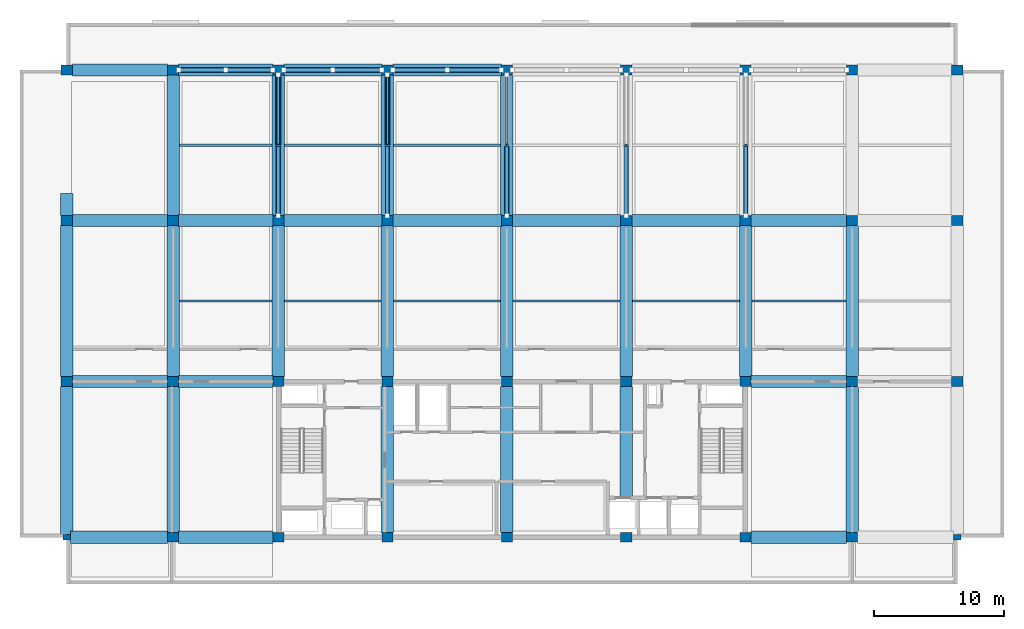
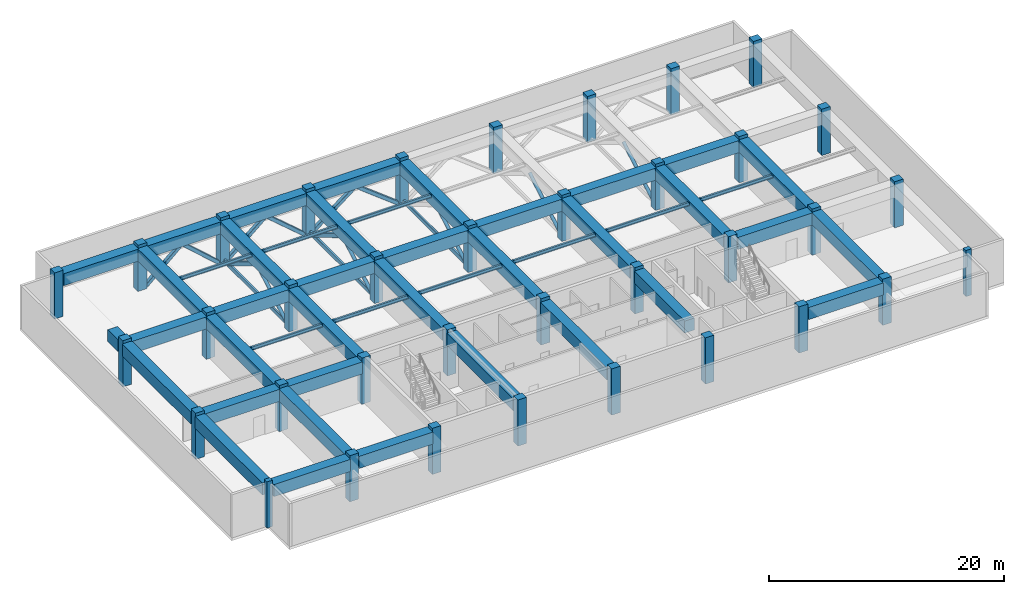
# One storey, part 1 of 11: 45 beams, 36 columns, 16 members.
"""IFC4 building model written with IfcOpenShell, lengths in metres."""

from ifc_helpers import new_model, si_unit, direction, frame, origin, origin_2d, place, context, subcontext, project, spatial, rectangle, hollow_rectangle, hollow_circle, i_section, extrude, material, material_profile, profile_set, type_object, element, save


model = new_model("IFC4")

# Units and contexts
model_context = context("Model", 3, precision=1e-05, world=origin(), true_north=direction((0.0, 1.0)))
body_context = subcontext(model_context, "Body", "Model", "MODEL_VIEW")
ifc_project = project(units=[si_unit("LENGTHUNIT", "METRE"), si_unit("AREAUNIT", "SQUARE_METRE"), si_unit("VOLUMEUNIT", "CUBIC_METRE"), si_unit("PLANEANGLEUNIT", "RADIAN"), si_unit("MASSUNIT", "GRAM", prefix="KILO")], contexts=[model_context])

# Site, building, storey
site_placement = place(None, origin())
site = spatial("IfcSite", under=ifc_project, at=site_placement, CompositionType="ELEMENT")
building_placement = place(site_placement, origin())
building = spatial("IfcBuilding", under=site, at=building_placement, Name="Korimba Cascade Residences", CompositionType="ELEMENT")
storey_placement = place(building_placement, frame((0.0, 0.0, 223.85009765625)))
storey = spatial("IfcBuildingStorey", under=building, at=storey_placement, Name="L65", CompositionType="ELEMENT", Elevation=223.85009765625)

# Columns
ifc_material_1 = material(Name="Concrete C65/80", Category="concrete")
ifc_material_profile_1 = material_profile(ifc_material_1, rectangle(XDim=0.550048828125, YDim=0.449951171875, at=origin_2d()), Name="Concrete C65/80")
ifc_profile_set_1 = profile_set([ifc_material_profile_1], Name="Concrete C65/80")
column_type_1 = type_object("IfcColumnType", Name="COL-PIL-550", PredefinedType="PILASTER", material=ifc_profile_set_1)
for number, where, z_axis, x_axis, name in (
    (1, (59.800048828125, 55.199951171875, 0.0), (0.0, 0.0, 1.0), (1.0, 0.0, 0.0), "L65 Tower 1 Column 1.1"),
    (2, (128.39990234375, 55.199951171875, 0.0), (0.0, 0.0, 1.0), (1.0, 0.0, 0.0), "L65 Tower 1 Column 9.1"),
):
    element("IfcColumn", number, at=place(storey_placement, frame(where, z_axis=z_axis, x_axis=x_axis)), inside=storey, type_object=column_type_1, Name=name, PredefinedType="PILASTER", context=body_context, shape_type="SweptSolid", body=[
        extrude(rectangle(XDim=0.550048828125, YDim=0.449951171875, at=origin_2d()), origin(), (0.0, 0.0, 1.0), 4.7998046875),
    ])
ifc_material_profile_2 = material_profile(ifc_material_1, rectangle(XDim=0.85009765625, YDim=0.75, at=origin_2d()), Name="Concrete C65/80")
ifc_profile_set_2 = profile_set([ifc_material_profile_2], Name="Concrete C65/80")
column_type_2 = type_object("IfcColumnType", Name="COL-RC-850", PredefinedType="COLUMN", material=ifc_profile_set_2)
for number, where, z_axis, x_axis, name in (
    (3, (59.800048828125, 67.199951171875, 0.0), (0.0, 0.0, 1.0), (1.0, 0.0, 0.0), "L65 Tower 1 Column 1.2"),
    (4, (59.800048828125, 79.60009765625, 0.0), (0.0, 0.0, 1.0), (1.0, 0.0, 0.0), "L65 Tower 1 Column 1.3"),
    (5, (59.800048828125, 91.199951171875, 0.0), (0.0, 0.0, 1.0), (1.0, 0.0, 0.0), "L65 Tower 1 Column 1.4"),
    (6, (68.0, 55.199951171875, 0.0), (0.0, 0.0, 1.0), (1.0, 0.0, 0.0), "L65 Tower 1 Column 2.1"),
    (7, (68.0, 67.199951171875, 0.0), (0.0, 0.0, 1.0), (1.0, 0.0, 0.0), "L65 Tower 1 Column 2.2"),
    (8, (68.0, 79.60009765625, 0.0), (0.0, 0.0, 1.0), (1.0, 0.0, 0.0), "L65 Tower 1 Column 2.3"),
    (9, (68.0, 91.199951171875, 0.0), (0.0, 0.0, 1.0), (1.0, 0.0, 0.0), "L65 Tower 1 Column 2.4"),
    (10, (76.10009765625, 55.199951171875, 0.0), (0.0, 0.0, 1.0), (1.0, 0.0, 0.0), "L65 Tower 1 Column 3.1"),
    (11, (76.10009765625, 67.199951171875, 0.0), (0.0, 0.0, 1.0), (1.0, 0.0, 0.0), "L65 Tower 1 Column 3.2"),
    (12, (76.10009765625, 79.60009765625, 0.0), (0.0, 0.0, 1.0), (1.0, 0.0, 0.0), "L65 Tower 1 Column 3.3"),
    (13, (76.10009765625, 91.199951171875, 0.0), (0.0, 0.0, 1.0), (1.0, 0.0, 0.0), "L65 Tower 1 Column 3.4"),
    (14, (84.5, 55.199951171875, 0.0), (0.0, 0.0, 1.0), (1.0, 0.0, 0.0), "L65 Tower 1 Column 4.1"),
    (15, (84.5, 67.199951171875, 0.0), (0.0, 0.0, 1.0), (1.0, 0.0, 0.0), "L65 Tower 1 Column 4.2"),
    (16, (84.5, 79.60009765625, 0.0), (0.0, 0.0, 1.0), (1.0, 0.0, 0.0), "L65 Tower 1 Column 4.3"),
    (17, (84.5, 91.199951171875, 0.0), (0.0, 0.0, 1.0), (1.0, 0.0, 0.0), "L65 Tower 1 Column 4.4"),
    (18, (93.699951171875, 55.199951171875, 0.0), (0.0, 0.0, 1.0), (1.0, 0.0, 0.0), "L65 Tower 1 Column 5.1"),
    (19, (93.699951171875, 67.199951171875, 0.0), (0.0, 0.0, 1.0), (1.0, 0.0, 0.0), "L65 Tower 1 Column 5.2"),
    (20, (93.699951171875, 79.60009765625, 0.0), (0.0, 0.0, 1.0), (1.0, 0.0, 0.0), "L65 Tower 1 Column 5.3"),
    (21, (93.699951171875, 91.199951171875, 0.0), (0.0, 0.0, 1.0), (1.0, 0.0, 0.0), "L65 Tower 1 Column 5.4"),
    (22, (102.89990234375, 55.199951171875, 0.0), (0.0, 0.0, 1.0), (1.0, 0.0, 0.0), "L65 Tower 1 Column 6.1"),
    (23, (102.89990234375, 67.199951171875, 0.0), (0.0, 0.0, 1.0), (1.0, 0.0, 0.0), "L65 Tower 1 Column 6.2"),
    (24, (102.89990234375, 79.60009765625, 0.0), (0.0, 0.0, 1.0), (1.0, 0.0, 0.0), "L65 Tower 1 Column 6.3"),
    (25, (102.89990234375, 91.199951171875, 0.0), (0.0, 0.0, 1.0), (1.0, 0.0, 0.0), "L65 Tower 1 Column 6.4"),
    (26, (112.10009765625, 55.199951171875, 0.0), (0.0, 0.0, 1.0), (1.0, 0.0, 0.0), "L65 Tower 1 Column 7.1"),
    (27, (112.10009765625, 67.199951171875, 0.0), (0.0, 0.0, 1.0), (1.0, 0.0, 0.0), "L65 Tower 1 Column 7.2"),
    (28, (112.10009765625, 79.60009765625, 0.0), (0.0, 0.0, 1.0), (1.0, 0.0, 0.0), "L65 Tower 1 Column 7.3"),
    (29, (112.10009765625, 91.199951171875, 0.0), (0.0, 0.0, 1.0), (1.0, 0.0, 0.0), "L65 Tower 1 Column 7.4"),
    (30, (120.300048828125, 55.199951171875, 0.0), (0.0, 0.0, 1.0), (1.0, 0.0, 0.0), "L65 Tower 1 Column 8.1"),
    (31, (120.300048828125, 67.199951171875, 0.0), (0.0, 0.0, 1.0), (1.0, 0.0, 0.0), "L65 Tower 1 Column 8.2"),
    (32, (120.300048828125, 79.60009765625, 0.0), (0.0, 0.0, 1.0), (1.0, 0.0, 0.0), "L65 Tower 1 Column 8.3"),
    (33, (120.300048828125, 91.199951171875, 0.0), (0.0, 0.0, 1.0), (1.0, 0.0, 0.0), "L65 Tower 1 Column 8.4"),
    (34, (128.39990234375, 67.199951171875, 0.0), (0.0, 0.0, 1.0), (1.0, 0.0, 0.0), "L65 Tower 1 Column 9.2"),
    (35, (128.39990234375, 79.60009765625, 0.0), (0.0, 0.0, 1.0), (1.0, 0.0, 0.0), "L65 Tower 1 Column 9.3"),
    (36, (128.39990234375, 91.199951171875, 0.0), (0.0, 0.0, 1.0), (1.0, 0.0, 0.0), "L65 Tower 1 Column 9.4"),
):
    element("IfcColumn", number, at=place(storey_placement, frame(where, z_axis=z_axis, x_axis=x_axis)), inside=storey, type_object=column_type_2, Name=name, PredefinedType="COLUMN", context=body_context, shape_type="SweptSolid", body=[
        extrude(rectangle(XDim=0.85009765625, YDim=0.75, at=origin_2d()), origin(), (0.0, 0.0, 1.0), 4.7998046875),
    ])

# Beams
ifc_material_2 = material(Name="Steel S355", Category="steel")
ifc_material_profile_3 = material_profile(ifc_material_2, i_section(OverallWidth=0.172119140625, OverallDepth=0.35791015625, WebThickness=0.008056640625, FlangeThickness=0.012939453125, FilletRadius=0.01025390625, at=origin_2d()), Name="Steel S355")
ifc_profile_set_3 = profile_set([ifc_material_profile_3], Name="Steel S355")
beam_type_1 = type_object("IfcBeamType", Name="BM-STL-UB356", PredefinedType="JOIST", material=ifc_profile_set_3)
beam_1_placement = place(storey_placement, frame((68.47509765625, 73.39990234375, 4.30078125), z_axis=(1.0, 0.0, 0.0), x_axis=(0.0, 1.0, 0.0)))
element("IfcBeam", 37, at=beam_1_placement, inside=storey, type_object=beam_type_1, Name="L65 T1 Floor Joist 1.2", PredefinedType="JOIST", context=body_context, shape_type="SweptSolid", body=[
    extrude(i_section(OverallWidth=0.172119140625, OverallDepth=0.35791015625, WebThickness=0.008056640625, FlangeThickness=0.012939453125, FilletRadius=0.01025390625, at=origin_2d()), origin(), (0.0, 0.0, 1.0), 7.14990234375),
])
beam_2_placement = place(storey_placement, frame((76.574951171875, 73.39990234375, 4.30078125), z_axis=(1.0, 0.0, 0.0), x_axis=(0.0, 1.0, 0.0)))
element("IfcBeam", 38, at=beam_2_placement, inside=storey, type_object=beam_type_1, Name="L65 T1 Floor Joist 1.3", PredefinedType="JOIST", context=body_context, shape_type="SweptSolid", body=[
    extrude(i_section(OverallWidth=0.172119140625, OverallDepth=0.35791015625, WebThickness=0.008056640625, FlangeThickness=0.012939453125, FilletRadius=0.01025390625, at=origin_2d()), origin(), (0.0, 0.0, 1.0), 7.449951171875),
])
for number, where, z_axis, x_axis, name in (
    (39, (84.97509765625, 73.39990234375, 4.30078125), (1.0, 0.0, 0.0), (0.0, 1.0, 0.0), "L65 T1 Floor Joist 1.4"),
    (40, (94.175048828125, 73.39990234375, 4.30078125), (1.0, 0.0, 0.0), (0.0, 1.0, 0.0), "L65 T1 Floor Joist 1.5"),
    (41, (103.375, 73.39990234375, 4.30078125), (1.0, 0.0, 0.0), (0.0, 1.0, 0.0), "L65 T1 Floor Joist 1.6"),
):
    element("IfcBeam", number, at=place(storey_placement, frame(where, z_axis=z_axis, x_axis=x_axis)), inside=storey, type_object=beam_type_1, Name=name, PredefinedType="JOIST", context=body_context, shape_type="SweptSolid", body=[
        extrude(i_section(OverallWidth=0.172119140625, OverallDepth=0.35791015625, WebThickness=0.008056640625, FlangeThickness=0.012939453125, FilletRadius=0.01025390625, at=origin_2d()), origin(), (0.0, 0.0, 1.0), 8.25),
    ])
beam_3_placement = place(storey_placement, frame((112.574951171875, 73.39990234375, 4.30078125), z_axis=(1.0, 0.0, 0.0), x_axis=(0.0, 1.0, 0.0)))
element("IfcBeam", 42, at=beam_3_placement, inside=storey, type_object=beam_type_1, Name="L65 T1 Floor Joist 1.7", PredefinedType="JOIST", context=body_context, shape_type="SweptSolid", body=[
    extrude(i_section(OverallWidth=0.172119140625, OverallDepth=0.35791015625, WebThickness=0.008056640625, FlangeThickness=0.012939453125, FilletRadius=0.01025390625, at=origin_2d()), origin(), (0.0, 0.0, 1.0), 7.25),
])
beam_4_placement = place(storey_placement, frame((68.47509765625, 85.39990234375, 4.30078125), z_axis=(1.0, 0.0, 0.0), x_axis=(0.0, 1.0, 0.0)))
element("IfcBeam", 43, at=beam_4_placement, inside=storey, type_object=beam_type_1, Name="L65 T1 Floor Joist 2.2", PredefinedType="JOIST", context=body_context, shape_type="SweptSolid", body=[
    extrude(i_section(OverallWidth=0.172119140625, OverallDepth=0.35791015625, WebThickness=0.008056640625, FlangeThickness=0.012939453125, FilletRadius=0.01025390625, at=origin_2d()), origin(), (0.0, 0.0, 1.0), 7.14990234375),
])
beam_5_placement = place(storey_placement, frame((76.574951171875, 85.39990234375, 4.30078125), z_axis=(1.0, 0.0, 0.0), x_axis=(0.0, 1.0, 0.0)))
element("IfcBeam", 44, at=beam_5_placement, inside=storey, type_object=beam_type_1, Name="L65 T1 Floor Joist 2.3", PredefinedType="JOIST", context=body_context, shape_type="SweptSolid", body=[
    extrude(i_section(OverallWidth=0.172119140625, OverallDepth=0.35791015625, WebThickness=0.008056640625, FlangeThickness=0.012939453125, FilletRadius=0.01025390625, at=origin_2d()), origin(), (0.0, 0.0, 1.0), 7.449951171875),
])
beam_6_placement = place(storey_placement, frame((84.97509765625, 85.39990234375, 4.30078125), z_axis=(1.0, 0.0, 0.0), x_axis=(0.0, 1.0, 0.0)))
element("IfcBeam", 45, at=beam_6_placement, inside=storey, type_object=beam_type_1, Name="L65 T1 Floor Joist 2.4", PredefinedType="JOIST", context=body_context, shape_type="SweptSolid", body=[
    extrude(i_section(OverallWidth=0.172119140625, OverallDepth=0.35791015625, WebThickness=0.008056640625, FlangeThickness=0.012939453125, FilletRadius=0.01025390625, at=origin_2d()), origin(), (0.0, 0.0, 1.0), 8.25),
])
ifc_material_profile_4 = material_profile(ifc_material_1, rectangle(XDim=0.949951171875, YDim=1.25, at=origin_2d()), Name="Concrete C65/80")
ifc_profile_set_4 = profile_set([ifc_material_profile_4], Name="Concrete C65/80")
beam_type_2 = type_object("IfcBeamType", Name="BM-TRF-1250", PredefinedType="T_BEAM", material=ifc_profile_set_4)
beam_7_placement = place(storey_placement, frame((60.074951171875, 55.199951171875, 3.85498046875), z_axis=(1.0, 0.0, 0.0), x_axis=(0.0, 1.0, 0.0)))
element("IfcBeam", 46, at=beam_7_placement, inside=storey, type_object=beam_type_2, Name="L65 T1 E-W Girder Y1 Bay 1", PredefinedType="T_BEAM", context=body_context, shape_type="SweptSolid", body=[
    extrude(rectangle(XDim=0.949951171875, YDim=1.25, at=origin_2d()), origin(), (0.0, 0.0, 1.0), 7.5),
])
beam_8_placement = place(storey_placement, frame((68.425048828125, 55.199951171875, 3.85498046875), z_axis=(1.0, 0.0, 0.0), x_axis=(0.0, 1.0, 0.0)))
element("IfcBeam", 47, at=beam_8_placement, inside=storey, type_object=beam_type_2, Name="L65 T1 E-W Girder Y1 Bay 2", PredefinedType="T_BEAM", context=body_context, shape_type="SweptSolid", body=[
    extrude(rectangle(XDim=0.949951171875, YDim=1.25, at=origin_2d()), origin(), (0.0, 0.0, 1.0), 7.25),
])
beam_9_placement = place(storey_placement, frame((112.52490234375, 55.199951171875, 3.85498046875), z_axis=(1.0, 0.0, 0.0), x_axis=(0.0, 1.0, 0.0)))
element("IfcBeam", 48, at=beam_9_placement, inside=storey, type_object=beam_type_2, Name="L65 T1 E-W Girder Y1 Bay 7", PredefinedType="T_BEAM", context=body_context, shape_type="SweptSolid", body=[
    extrude(rectangle(XDim=0.949951171875, YDim=1.25, at=origin_2d()), origin(), (0.0, 0.0, 1.0), 7.35009765625),
])
beam_10_placement = place(storey_placement, frame((60.22509765625, 67.199951171875, 3.85498046875), z_axis=(1.0, 0.0, 0.0), x_axis=(0.0, 1.0, 0.0)))
element("IfcBeam", 49, at=beam_10_placement, inside=storey, type_object=beam_type_2, Name="L65 T1 E-W Girder Y2 Bay 1", PredefinedType="T_BEAM", context=body_context, shape_type="SweptSolid", body=[
    extrude(rectangle(XDim=0.949951171875, YDim=1.25, at=origin_2d()), origin(), (0.0, 0.0, 1.0), 7.349853515625),
])
beam_11_placement = place(storey_placement, frame((68.425048828125, 67.199951171875, 3.85498046875), z_axis=(1.0, 0.0, 0.0), x_axis=(0.0, 1.0, 0.0)))
element("IfcBeam", 50, at=beam_11_placement, inside=storey, type_object=beam_type_2, Name="L65 T1 E-W Girder Y2 Bay 2", PredefinedType="T_BEAM", context=body_context, shape_type="SweptSolid", body=[
    extrude(rectangle(XDim=0.949951171875, YDim=1.25, at=origin_2d()), origin(), (0.0, 0.0, 1.0), 7.25),
])
beam_12_placement = place(storey_placement, frame((112.52490234375, 67.199951171875, 3.85498046875), z_axis=(1.0, 0.0, 0.0), x_axis=(0.0, 1.0, 0.0)))
element("IfcBeam", 51, at=beam_12_placement, inside=storey, type_object=beam_type_2, Name="L65 T1 E-W Girder Y2 Bay 7", PredefinedType="T_BEAM", context=body_context, shape_type="SweptSolid", body=[
    extrude(rectangle(XDim=0.949951171875, YDim=1.25, at=origin_2d()), origin(), (0.0, 0.0, 1.0), 7.35009765625),
])
beam_13_placement = place(storey_placement, frame((60.22509765625, 79.60009765625, 3.85498046875), z_axis=(1.0, 0.0, 0.0), x_axis=(0.0, 1.0, 0.0)))
element("IfcBeam", 52, at=beam_13_placement, inside=storey, type_object=beam_type_2, Name="L65 T1 E-W Girder Y3 Bay 1", PredefinedType="T_BEAM", context=body_context, shape_type="SweptSolid", body=[
    extrude(rectangle(XDim=0.949951171875, YDim=1.25, at=origin_2d()), origin(), (0.0, 0.0, 1.0), 7.349853515625),
])
beam_14_placement = place(storey_placement, frame((68.425048828125, 79.60009765625, 3.85498046875), z_axis=(1.0, 0.0, 0.0), x_axis=(0.0, 1.0, 0.0)))
element("IfcBeam", 53, at=beam_14_placement, inside=storey, type_object=beam_type_2, Name="L65 T1 E-W Girder Y3 Bay 2", PredefinedType="T_BEAM", context=body_context, shape_type="SweptSolid", body=[
    extrude(rectangle(XDim=0.949951171875, YDim=1.25, at=origin_2d()), origin(), (0.0, 0.0, 1.0), 7.25),
])
beam_15_placement = place(storey_placement, frame((76.52490234375, 79.60009765625, 3.85498046875), z_axis=(1.0, 0.0, 0.0), x_axis=(0.0, 1.0, 0.0)))
element("IfcBeam", 54, at=beam_15_placement, inside=storey, type_object=beam_type_2, Name="L65 T1 E-W Girder Y3 Bay 3", PredefinedType="T_BEAM", context=body_context, shape_type="SweptSolid", body=[
    extrude(rectangle(XDim=0.949951171875, YDim=1.25, at=origin_2d()), origin(), (0.0, 0.0, 1.0), 7.550048828125),
])
beam_16_placement = place(storey_placement, frame((84.925048828125, 79.60009765625, 3.85498046875), z_axis=(1.0, 0.0, 0.0), x_axis=(0.0, 1.0, 0.0)))
element("IfcBeam", 55, at=beam_16_placement, inside=storey, type_object=beam_type_2, Name="L65 T1 E-W Girder Y3 Bay 4", PredefinedType="T_BEAM", context=body_context, shape_type="SweptSolid", body=[
    extrude(rectangle(XDim=0.949951171875, YDim=1.25, at=origin_2d()), origin(), (0.0, 0.0, 1.0), 8.349853515625),
])
for number, where, z_axis, x_axis, name in (
    (56, (94.125, 79.60009765625, 3.85498046875), (1.0, 0.0, 0.0), (0.0, 1.0, 0.0), "L65 T1 E-W Girder Y3 Bay 5"),
    (57, (103.324951171875, 79.60009765625, 3.85498046875), (1.0, 0.0, 0.0), (0.0, 1.0, 0.0), "L65 T1 E-W Girder Y3 Bay 6"),
):
    element("IfcBeam", number, at=place(storey_placement, frame(where, z_axis=z_axis, x_axis=x_axis)), inside=storey, type_object=beam_type_2, Name=name, PredefinedType="T_BEAM", context=body_context, shape_type="SweptSolid", body=[
        extrude(rectangle(XDim=0.949951171875, YDim=1.25, at=origin_2d()), origin(), (0.0, 0.0, 1.0), 8.35009765625),
    ])
beam_17_placement = place(storey_placement, frame((112.52490234375, 79.60009765625, 3.85498046875), z_axis=(1.0, 0.0, 0.0), x_axis=(0.0, 1.0, 0.0)))
element("IfcBeam", 58, at=beam_17_placement, inside=storey, type_object=beam_type_2, Name="L65 T1 E-W Girder Y3 Bay 7", PredefinedType="T_BEAM", context=body_context, shape_type="SweptSolid", body=[
    extrude(rectangle(XDim=0.949951171875, YDim=1.25, at=origin_2d()), origin(), (0.0, 0.0, 1.0), 7.35009765625),
])
beam_18_placement = place(storey_placement, frame((60.22509765625, 91.199951171875, 3.85498046875), z_axis=(1.0, 0.0, 0.0), x_axis=(0.0, 1.0, 0.0)))
element("IfcBeam", 59, at=beam_18_placement, inside=storey, type_object=beam_type_2, Name="L65 T1 E-W Girder Y4 Bay 1", PredefinedType="T_BEAM", context=body_context, shape_type="SweptSolid", body=[
    extrude(rectangle(XDim=0.949951171875, YDim=1.25, at=origin_2d()), origin(), (0.0, 0.0, 1.0), 7.349853515625),
])
beam_19_placement = place(storey_placement, frame((68.425048828125, 91.199951171875, 3.85498046875), z_axis=(1.0, 0.0, 0.0), x_axis=(0.0, 1.0, 0.0)))
element("IfcBeam", 60, at=beam_19_placement, inside=storey, type_object=beam_type_2, Name="L65 T1 E-W Girder Y4 Bay 2", PredefinedType="T_BEAM", context=body_context, shape_type="SweptSolid", body=[
    extrude(rectangle(XDim=0.949951171875, YDim=1.25, at=origin_2d()), origin(), (0.0, 0.0, 1.0), 7.25),
])
beam_20_placement = place(storey_placement, frame((76.52490234375, 91.199951171875, 3.85498046875), z_axis=(1.0, 0.0, 0.0), x_axis=(0.0, 1.0, 0.0)))
element("IfcBeam", 61, at=beam_20_placement, inside=storey, type_object=beam_type_2, Name="L65 T1 E-W Girder Y4 Bay 3", PredefinedType="T_BEAM", context=body_context, shape_type="SweptSolid", body=[
    extrude(rectangle(XDim=0.949951171875, YDim=1.25, at=origin_2d()), origin(), (0.0, 0.0, 1.0), 7.550048828125),
])
beam_21_placement = place(storey_placement, frame((84.925048828125, 91.199951171875, 3.85498046875), z_axis=(1.0, 0.0, 0.0), x_axis=(0.0, 1.0, 0.0)))
element("IfcBeam", 62, at=beam_21_placement, inside=storey, type_object=beam_type_2, Name="L65 T1 E-W Girder Y4 Bay 4", PredefinedType="T_BEAM", context=body_context, shape_type="SweptSolid", body=[
    extrude(rectangle(XDim=0.949951171875, YDim=1.25, at=origin_2d()), origin(), (0.0, 0.0, 1.0), 8.349853515625),
])
beam_22_placement = place(storey_placement, frame((59.800048828125, 55.425048828125, 3.85498046875), z_axis=(0.0, 1.0, 0.0), x_axis=(-1.0, 0.0, 0.0)))
element("IfcBeam", 63, at=beam_22_placement, inside=storey, type_object=beam_type_2, Name="L65 T1 N-S Girder X1 Seg 1", PredefinedType="T_BEAM", context=body_context, shape_type="SweptSolid", body=[
    extrude(rectangle(XDim=0.949951171875, YDim=1.25, at=origin_2d()), origin(), (0.0, 0.0, 1.0), 11.39990234375),
])
beam_23_placement = place(storey_placement, frame((59.800048828125, 67.574951171875, 3.85498046875), z_axis=(0.0, 1.0, 0.0), x_axis=(-1.0, 0.0, 0.0)))
element("IfcBeam", 64, at=beam_23_placement, inside=storey, type_object=beam_type_2, Name="L65 T1 N-S Girder X1 Seg 2", PredefinedType="T_BEAM", context=body_context, shape_type="SweptSolid", body=[
    extrude(rectangle(XDim=0.949951171875, YDim=1.25, at=origin_2d()), origin(), (0.0, 0.0, 1.0), 11.650146484375),
])
beam_24_placement = place(storey_placement, frame((59.800048828125, 79.97509765625, 3.85498046875), z_axis=(0.0, 1.0, 0.0), x_axis=(-1.0, 0.0, 0.0)))
element("IfcBeam", 65, at=beam_24_placement, inside=storey, type_object=beam_type_2, Name="L65 T1 N-S Girder X1 Seg 3", PredefinedType="T_BEAM", context=body_context, shape_type="SweptSolid", body=[
    extrude(rectangle(XDim=0.949951171875, YDim=1.25, at=origin_2d()), origin(), (0.0, 0.0, 1.0), 1.724853515625),
])
beam_25_placement = place(storey_placement, frame((68.0, 55.574951171875, 3.85498046875), z_axis=(0.0, 1.0, 0.0), x_axis=(-1.0, 0.0, 0.0)))
element("IfcBeam", 66, at=beam_25_placement, inside=storey, type_object=beam_type_2, Name="L65 T1 N-S Girder X2 Seg 1", PredefinedType="T_BEAM", context=body_context, shape_type="SweptSolid", body=[
    extrude(rectangle(XDim=0.949951171875, YDim=1.25, at=origin_2d()), origin(), (0.0, 0.0, 1.0), 11.25),
])
beam_26_placement = place(storey_placement, frame((68.0, 67.574951171875, 3.85498046875), z_axis=(0.0, 1.0, 0.0), x_axis=(-1.0, 0.0, 0.0)))
element("IfcBeam", 67, at=beam_26_placement, inside=storey, type_object=beam_type_2, Name="L65 T1 N-S Girder X2 Seg 2", PredefinedType="T_BEAM", context=body_context, shape_type="SweptSolid", body=[
    extrude(rectangle(XDim=0.949951171875, YDim=1.25, at=origin_2d()), origin(), (0.0, 0.0, 1.0), 11.650146484375),
])
beam_27_placement = place(storey_placement, frame((68.0, 79.97509765625, 3.85498046875), z_axis=(0.0, 1.0, 0.0), x_axis=(-1.0, 0.0, 0.0)))
element("IfcBeam", 68, at=beam_27_placement, inside=storey, type_object=beam_type_2, Name="L65 T1 N-S Girder X2 Seg 3", PredefinedType="T_BEAM", context=body_context, shape_type="SweptSolid", body=[
    extrude(rectangle(XDim=0.949951171875, YDim=1.25, at=origin_2d()), origin(), (0.0, 0.0, 1.0), 10.849853515625),
])
beam_28_placement = place(storey_placement, frame((76.10009765625, 67.574951171875, 3.85498046875), z_axis=(0.0, 1.0, 0.0), x_axis=(-1.0, 0.0, 0.0)))
element("IfcBeam", 69, at=beam_28_placement, inside=storey, type_object=beam_type_2, Name="L65 T1 N-S Girder X3 Seg 2", PredefinedType="T_BEAM", context=body_context, shape_type="SweptSolid", body=[
    extrude(rectangle(XDim=0.949951171875, YDim=1.25, at=origin_2d()), origin(), (0.0, 0.0, 1.0), 11.650146484375),
])
beam_29_placement = place(storey_placement, frame((76.10009765625, 79.97509765625, 3.85498046875), z_axis=(0.0, 1.0, 0.0), x_axis=(-1.0, 0.0, 0.0)))
element("IfcBeam", 70, at=beam_29_placement, inside=storey, type_object=beam_type_2, Name="L65 T1 N-S Girder X3 Seg 3", PredefinedType="T_BEAM", context=body_context, shape_type="SweptSolid", body=[
    extrude(rectangle(XDim=0.949951171875, YDim=1.25, at=origin_2d()), origin(), (0.0, 0.0, 1.0), 10.849853515625),
])
beam_30_placement = place(storey_placement, frame((84.5, 55.574951171875, 3.85498046875), z_axis=(0.0, 1.0, 0.0), x_axis=(-1.0, 0.0, 0.0)))
element("IfcBeam", 71, at=beam_30_placement, inside=storey, type_object=beam_type_2, Name="L65 T1 N-S Girder X4 Seg 1", PredefinedType="T_BEAM", context=body_context, shape_type="SweptSolid", body=[
    extrude(rectangle(XDim=0.949951171875, YDim=1.25, at=origin_2d()), origin(), (0.0, 0.0, 1.0), 11.25),
])
beam_31_placement = place(storey_placement, frame((84.5, 67.574951171875, 3.85498046875), z_axis=(0.0, 1.0, 0.0), x_axis=(-1.0, 0.0, 0.0)))
element("IfcBeam", 72, at=beam_31_placement, inside=storey, type_object=beam_type_2, Name="L65 T1 N-S Girder X4 Seg 2", PredefinedType="T_BEAM", context=body_context, shape_type="SweptSolid", body=[
    extrude(rectangle(XDim=0.949951171875, YDim=1.25, at=origin_2d()), origin(), (0.0, 0.0, 1.0), 11.650146484375),
])
beam_32_placement = place(storey_placement, frame((84.5, 79.97509765625, 3.85498046875), z_axis=(0.0, 1.0, 0.0), x_axis=(-1.0, 0.0, 0.0)))
element("IfcBeam", 73, at=beam_32_placement, inside=storey, type_object=beam_type_2, Name="L65 T1 N-S Girder X4 Seg 3", PredefinedType="T_BEAM", context=body_context, shape_type="SweptSolid", body=[
    extrude(rectangle(XDim=0.949951171875, YDim=1.25, at=origin_2d()), origin(), (0.0, 0.0, 1.0), 10.849853515625),
])
beam_33_placement = place(storey_placement, frame((93.699951171875, 55.574951171875, 3.85498046875), z_axis=(0.0, 1.0, 0.0), x_axis=(-1.0, 0.0, 0.0)))
element("IfcBeam", 74, at=beam_33_placement, inside=storey, type_object=beam_type_2, Name="L65 T1 N-S Girder X5 Seg 1", PredefinedType="T_BEAM", context=body_context, shape_type="SweptSolid", body=[
    extrude(rectangle(XDim=0.949951171875, YDim=1.25, at=origin_2d()), origin(), (0.0, 0.0, 1.0), 11.25),
])
beam_34_placement = place(storey_placement, frame((93.699951171875, 67.574951171875, 3.85498046875), z_axis=(0.0, 1.0, 0.0), x_axis=(-1.0, 0.0, 0.0)))
element("IfcBeam", 75, at=beam_34_placement, inside=storey, type_object=beam_type_2, Name="L65 T1 N-S Girder X5 Seg 2", PredefinedType="T_BEAM", context=body_context, shape_type="SweptSolid", body=[
    extrude(rectangle(XDim=0.949951171875, YDim=1.25, at=origin_2d()), origin(), (0.0, 0.0, 1.0), 11.650146484375),
])
beam_35_placement = place(storey_placement, frame((93.699951171875, 79.97509765625, 3.85498046875), z_axis=(0.0, 1.0, 0.0), x_axis=(-1.0, 0.0, 0.0)))
element("IfcBeam", 76, at=beam_35_placement, inside=storey, type_object=beam_type_2, Name="L65 T1 N-S Girder X5 Seg 3", PredefinedType="T_BEAM", context=body_context, shape_type="SweptSolid", body=[
    extrude(rectangle(XDim=0.949951171875, YDim=1.25, at=origin_2d()), origin(), (0.0, 0.0, 1.0), 10.849853515625),
])
beam_36_placement = place(storey_placement, frame((102.89990234375, 58.260009765625, 3.85498046875), z_axis=(0.0, 1.0, 0.0), x_axis=(-1.0, 0.0, 0.0)))
element("IfcBeam", 77, at=beam_36_placement, inside=storey, type_object=beam_type_2, Name="L65 T1 N-S Girder X6 Seg 1", PredefinedType="T_BEAM", context=body_context, shape_type="SweptSolid", body=[
    extrude(rectangle(XDim=0.949951171875, YDim=1.25, at=origin_2d()), origin(), (0.0, 0.0, 1.0), 8.56494140625),
])
for number, where, z_axis, x_axis, name in (
    (78, (102.89990234375, 67.574951171875, 3.85498046875), (0.0, 1.0, 0.0), (-1.0, 0.0, 0.0), "L65 T1 N-S Girder X6 Seg 2"),
    (79, (112.10009765625, 67.574951171875, 3.85498046875), (0.0, 1.0, 0.0), (-1.0, 0.0, 0.0), "L65 T1 N-S Girder X7 Seg 2"),
):
    element("IfcBeam", number, at=place(storey_placement, frame(where, z_axis=z_axis, x_axis=x_axis)), inside=storey, type_object=beam_type_2, Name=name, PredefinedType="T_BEAM", context=body_context, shape_type="SweptSolid", body=[
        extrude(rectangle(XDim=0.949951171875, YDim=1.25, at=origin_2d()), origin(), (0.0, 0.0, 1.0), 11.650146484375),
    ])
beam_37_placement = place(storey_placement, frame((120.300048828125, 55.574951171875, 3.85498046875), z_axis=(0.0, 1.0, 0.0), x_axis=(-1.0, 0.0, 0.0)))
element("IfcBeam", 80, at=beam_37_placement, inside=storey, type_object=beam_type_2, Name="L65 T1 N-S Girder X8 Seg 1", PredefinedType="T_BEAM", context=body_context, shape_type="SweptSolid", body=[
    extrude(rectangle(XDim=0.949951171875, YDim=1.25, at=origin_2d()), origin(), (0.0, 0.0, 1.0), 11.25),
])
beam_38_placement = place(storey_placement, frame((120.300048828125, 67.574951171875, 3.85498046875), z_axis=(0.0, 1.0, 0.0), x_axis=(-1.0, 0.0, 0.0)))
element("IfcBeam", 81, at=beam_38_placement, inside=storey, type_object=beam_type_2, Name="L65 T1 N-S Girder X8 Seg 2", PredefinedType="T_BEAM", context=body_context, shape_type="SweptSolid", body=[
    extrude(rectangle(XDim=0.949951171875, YDim=1.25, at=origin_2d()), origin(), (0.0, 0.0, 1.0), 11.650146484375),
])

# Members
ifc_material_3 = material(Name="Steel S460", Category="steel")
ifc_material_profile_5 = material_profile(ifc_material_3, hollow_rectangle(XDim=0.35009765625, YDim=0.35009765625, WallThickness=0.01611328125, InnerFilletRadius=0.01611328125, OuterFilletRadius=0.031982421875, at=origin_2d()), Name="Steel S460")
ifc_profile_set_5 = profile_set([ifc_material_profile_5], Name="Steel S460")
member_type_1 = type_object("IfcMemberType", Name="MEM-BLT-SHS350", PredefinedType="BRACE", material=ifc_profile_set_5)
for number, where, z_axis, x_axis, name in (
    (82, (68.425048828125, 91.199951171875, 0.0), (0.746615340399, 0.0, 0.66525599094), (0.0, 1.0, 0.0), "L65 T1 Belt Chevron 1A"),
    (83, (75.675048828125, 91.199951171875, 0.0), (-0.746615340399, 0.0, 0.66525599094), (0.0, -1.0, 0.0), "L65 T1 Belt Chevron 1B"),
):
    element("IfcMember", number, at=place(storey_placement, frame(where, z_axis=z_axis, x_axis=x_axis)), inside=storey, type_object=member_type_1, Name=name, PredefinedType="BRACE", context=body_context, shape_type="SweptSolid", body=[
        extrude(hollow_rectangle(XDim=0.35009765625, YDim=0.35009765625, WallThickness=0.01611328125, InnerFilletRadius=0.01611328125, OuterFilletRadius=0.031982421875, at=origin_2d()), origin(), (0.0, 0.0, 1.0), 4.855224609375),
    ])
for number, where, z_axis, x_axis, name in (
    (84, (76.52490234375, 91.199951171875, 0.0), (0.759839030767, 0.0, 0.65011125765), (0.0, 1.0, 0.0), "L65 T1 Belt Chevron 2A"),
    (85, (84.074951171875, 91.199951171875, 0.0), (-0.759818261195, 0.0, 0.650135531989), (0.0, -1.0, 0.0), "L65 T1 Belt Chevron 2B"),
):
    element("IfcMember", number, at=place(storey_placement, frame(where, z_axis=z_axis, x_axis=x_axis)), inside=storey, type_object=member_type_1, Name=name, PredefinedType="BRACE", context=body_context, shape_type="SweptSolid", body=[
        extrude(hollow_rectangle(XDim=0.35009765625, YDim=0.35009765625, WallThickness=0.01611328125, InnerFilletRadius=0.01611328125, OuterFilletRadius=0.031982421875, at=origin_2d()), origin(), (0.0, 0.0, 1.0), 4.96826171875),
    ])
member_1_placement = place(storey_placement, frame((84.925048828125, 91.199951171875, 0.0), z_axis=(0.790935986715, 0.0, 0.611898900897), x_axis=(0.0, 1.0, 0.0)))
element("IfcMember", 86, at=member_1_placement, inside=storey, type_object=member_type_1, Name="L65 T1 Belt Chevron 3A", PredefinedType="BRACE", context=body_context, shape_type="SweptSolid", body=[
    extrude(hollow_rectangle(XDim=0.35009765625, YDim=0.35009765625, WallThickness=0.01611328125, InnerFilletRadius=0.01611328125, OuterFilletRadius=0.031982421875, at=origin_2d()), origin(), (0.0, 0.0, 1.0), 5.278564453125),
])
member_2_placement = place(storey_placement, frame((93.27490234375, 91.199951171875, 0.0), z_axis=(-0.790918668505, 0.0, 0.611921285633), x_axis=(0.0, -1.0, 0.0)))
element("IfcMember", 87, at=member_2_placement, inside=storey, type_object=member_type_1, Name="L65 T1 Belt Chevron 3B", PredefinedType="BRACE", context=body_context, shape_type="SweptSolid", body=[
    extrude(hollow_rectangle(XDim=0.35009765625, YDim=0.35009765625, WallThickness=0.01611328125, InnerFilletRadius=0.01611328125, OuterFilletRadius=0.031982421875, at=origin_2d()), origin(), (0.0, 0.0, 1.0), 5.2783203125),
])
ifc_material_profile_6 = material_profile(ifc_material_3, hollow_rectangle(XDim=0.199951171875, YDim=0.39990234375, WallThickness=0.012451171875, InnerFilletRadius=0.012451171875, OuterFilletRadius=0.02490234375, at=origin_2d()), Name="Steel S460")
ifc_profile_set_6 = profile_set([ifc_material_profile_6], Name="Steel S460")
member_type_2 = type_object("IfcMemberType", Name="MEM-OUT-CHD400", PredefinedType="CHORD", material=ifc_profile_set_6)
for number, where, z_axis, x_axis, name in (
    (88, (76.10009765625, 79.97509765625, 0.199951171875), (0.0, 1.0, 0.0), (-1.0, 0.0, 0.0), "L65 T1 Outrigger Bottom Tie 1"),
    (89, (84.5, 79.97509765625, 0.199951171875), (0.0, 1.0, 0.0), (-1.0, 0.0, 0.0), "L65 T1 Outrigger Bottom Tie 2"),
    (90, (93.699951171875, 79.97509765625, 0.199951171875), (0.0, 1.0, 0.0), (-1.0, 0.0, 0.0), "L65 T1 Outrigger Bottom Tie 3"),
):
    element("IfcMember", number, at=place(storey_placement, frame(where, z_axis=z_axis, x_axis=x_axis)), inside=storey, type_object=member_type_2, Name=name, PredefinedType="CHORD", context=body_context, shape_type="SweptSolid", body=[
        extrude(hollow_rectangle(XDim=0.199951171875, YDim=0.39990234375, WallThickness=0.012451171875, InnerFilletRadius=0.012451171875, OuterFilletRadius=0.02490234375, at=origin_2d()), origin(), (0.0, 0.0, 1.0), 10.849853515625),
    ])
ifc_material_profile_7 = material_profile(ifc_material_2, hollow_circle(Radius=0.161865234375, WallThickness=0.0126953125, at=origin_2d()), Name="Steel S355")
ifc_profile_set_7 = profile_set([ifc_material_profile_7], Name="Steel S355")
member_type_3 = type_object("IfcMemberType", Name="MEM-OUT-CHS323", PredefinedType="STRUT", material=ifc_profile_set_7)
for number, where, z_axis, x_axis, name in (
    (91, (76.10009765625, 79.97509765625, 0.0), (0.0, 0.859228132221, 0.511592627781), (-1.0, 0.0, 0.0), "L65 T1 Outrigger Chevron 1A"),
    (92, (84.5, 79.97509765625, 0.0), (0.0, 0.859228132221, 0.511592627781), (-1.0, 0.0, 0.0), "L65 T1 Outrigger Chevron 2A"),
    (93, (93.699951171875, 79.97509765625, 0.0), (0.0, 0.859228132221, 0.511592627781), (-1.0, 0.0, 0.0), "L65 T1 Outrigger Chevron 3A"),
    (94, (102.89990234375, 79.97509765625, 0.0), (0.0, 0.859228132221, 0.511592627781), (-1.0, 0.0, 0.0), "L65 T1 Outrigger Chevron 4A"),
    (95, (112.10009765625, 79.97509765625, 0.0), (0.0, 0.859228132221, 0.511592627781), (-1.0, 0.0, 0.0), "L65 T1 Outrigger Chevron 5A"),
):
    element("IfcMember", number, at=place(storey_placement, frame(where, z_axis=z_axis, x_axis=x_axis)), inside=storey, type_object=member_type_3, Name=name, PredefinedType="STRUT", context=body_context, shape_type="SweptSolid", body=[
        extrude(hollow_circle(Radius=0.161865234375, WallThickness=0.0126953125, at=origin_2d()), origin(), (0.0, 0.0, 1.0), 6.3134765625),
    ])
ifc_material_profile_8 = material_profile(ifc_material_3, hollow_rectangle(XDim=0.39990234375, YDim=0.39990234375, WallThickness=0.01611328125, InnerFilletRadius=0.01611328125, OuterFilletRadius=0.031982421875, at=origin_2d()), Name="Steel S460")
ifc_profile_set_8 = profile_set([ifc_material_profile_8], Name="Steel S460")
member_type_4 = type_object("IfcMemberType", Name="MEM-OUT-SHS400", PredefinedType="BRACE", material=ifc_profile_set_8)
for number, where, z_axis, x_axis, name in (
    (96, (76.10009765625, 90.824951171875, 0.0), (0.0, -0.859238252474, 0.51157563027), (1.0, 0.0, 0.0), "L65 T1 Outrigger Chevron 1B"),
    (97, (84.5, 90.824951171875, 0.0), (0.0, -0.859238252474, 0.51157563027), (1.0, 0.0, 0.0), "L65 T1 Outrigger Chevron 2B"),
):
    element("IfcMember", number, at=place(storey_placement, frame(where, z_axis=z_axis, x_axis=x_axis)), inside=storey, type_object=member_type_4, Name=name, PredefinedType="BRACE", context=body_context, shape_type="SweptSolid", body=[
        extrude(hollow_rectangle(XDim=0.39990234375, YDim=0.39990234375, WallThickness=0.01611328125, InnerFilletRadius=0.01611328125, OuterFilletRadius=0.031982421875, at=origin_2d()), origin(), (0.0, 0.0, 1.0), 6.313720703125),
    ])

save(model, "model.ifc")
